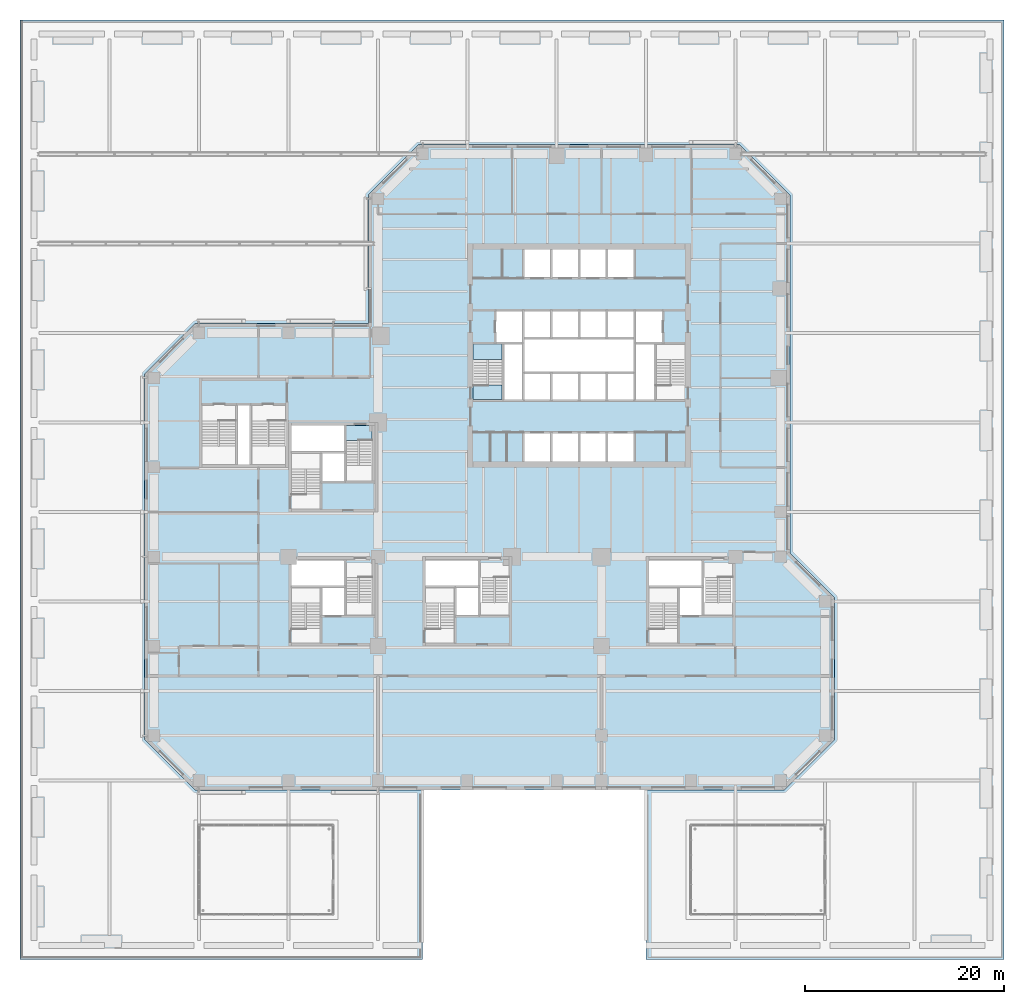
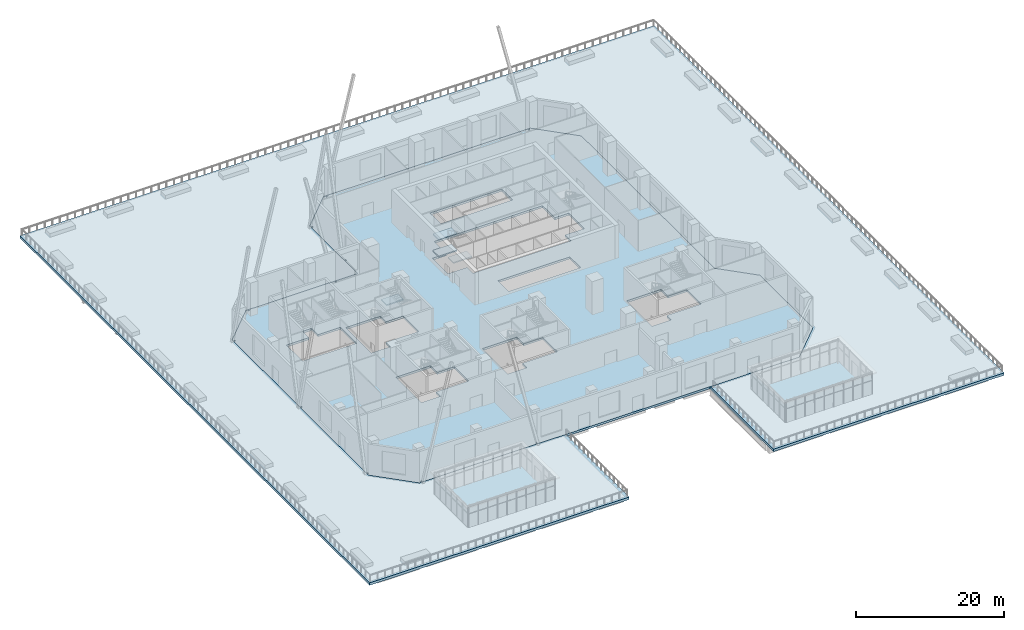
# One storey, part 18 of 33: 6 slabs, 2 elements without a shape of their own.
"""IFC4 building model written with IfcOpenShell, lengths in metres."""

from ifc_helpers import new_model, si_unit, direction, frame, origin, place, context, subcontext, project, spatial, polyline, outline, extrude, material, layer, layer_set, type_object, element, aggregate, save


model = new_model("IFC4")

# Units and contexts
model_context = context("Model", 3, precision=1e-05, world=origin(), true_north=direction((0.0, 1.0)))
body_context = subcontext(model_context, "Body", "Model", "MODEL_VIEW")
ifc_project = project(units=[si_unit("LENGTHUNIT", "METRE"), si_unit("AREAUNIT", "SQUARE_METRE"), si_unit("VOLUMEUNIT", "CUBIC_METRE"), si_unit("PLANEANGLEUNIT", "RADIAN"), si_unit("MASSUNIT", "GRAM", prefix="KILO")], contexts=[model_context])

# Site, building, storey
site_placement = place(None, origin())
site = spatial("IfcSite", under=ifc_project, at=site_placement, CompositionType="ELEMENT")
building_placement = place(site_placement, origin())
building = spatial("IfcBuilding", under=site, at=building_placement, Name="Quoin Convention Tower", CompositionType="ELEMENT")
storey_placement = place(building_placement, frame((0.0, 0.0, 8.0)))
storey = spatial("IfcBuildingStorey", under=building, at=storey_placement, Name="L01", CompositionType="ELEMENT", Elevation=8.0)

# Slabs
ifc_material_1 = material(Name="Concrete C50", Category="concrete")
ifc_layer_1 = layer(ifc_material_1, 0.409912109375)
ifc_layer_set_1 = layer_set([ifc_layer_1], Name="Concrete C50")
slab_type_1 = type_object("IfcSlabType", Name="RC DECK SLAB 410 C50", PredefinedType="ROOF", material=ifc_layer_set_1)
slab_1_placement = place(storey_placement, frame((0.0, 0.0, -0.409912109375)))
element("IfcSlab", 1, at=slab_1_placement, inside=storey, type_object=slab_type_1, Name="slb-L01-deck", PredefinedType="ROOF", context=body_context, shape_type="SweptSolid", body=[
    extrude(outline(polyline([(0.0, 94.5), (99.0, 94.5), (99.0, 0.0), (63.0, 0.0), (63.0, 17.050048828125), (76.8935546875, 17.050048828125), (81.949951171875, 22.1064453125), (81.949951171875, 36.3935546875), (77.449951171875, 40.8935546875), (77.449951171875, 76.8935546875), (72.3935546875, 81.949951171875), (40.1064453125, 81.949951171875), (35.050048828125, 76.8935546875), (35.050048828125, 63.949951171875), (17.6064453125, 63.949951171875), (12.550048828125, 58.8935546875), (12.550048828125, 22.1064453125), (17.6064453125, 17.050048828125), (40.5, 17.050048828125), (40.5, 0.0), (0.0, 0.0), (0.0, 94.5)])), origin(), (0.0, 0.0, 1.0), 0.409912109375),
])
ifc_material_2 = material(Name="Concrete C65", Category="concrete")
ifc_layer_2 = layer(ifc_material_2, 0.35009765625)
ifc_layer_set_2 = layer_set([ifc_layer_2], Name="Concrete C65")
slab_type_2 = type_object("IfcSlabType", Name="RC SLAB 350 C65", PredefinedType="FLOOR", material=ifc_layer_set_2)
slab_2_placement = place(storey_placement, frame((0.0, 0.0, -0.35009765625)))
element("IfcSlab", 2, at=slab_2_placement, inside=storey, type_object=slab_type_2, Name="slb-L01", PredefinedType="FLOOR", context=body_context, shape_type="SweptSolid", body=[
    extrude(outline(polyline([(17.6064453125, 63.949951171875), (17.905029296875, 63.949951171875), (17.905029296875, 63.679931640625), (18.094970703125, 63.679931640625), (18.094970703125, 63.949951171875), (31.405029296875, 63.949951171875), (31.405029296875, 63.679931640625), (31.594970703125, 63.679931640625), (31.594970703125, 63.949951171875), (35.050048828125, 63.949951171875), (35.050048828125, 67.405029296875), (35.320068359375, 67.405029296875), (35.320068359375, 67.594970703125), (35.050048828125, 67.594970703125), (35.050048828125, 76.405029296875), (35.320068359375, 76.405029296875), (35.320068359375, 76.594970703125), (35.050048828125, 76.594970703125), (35.050048828125, 76.8935546875), (40.1064453125, 81.949951171875), (40.405029296875, 81.949951171875), (40.405029296875, 81.679931640625), (40.594970703125, 81.679931640625), (40.594970703125, 81.949951171875), (71.905029296875, 81.949951171875), (71.905029296875, 81.679931640625), (72.094970703125, 81.679931640625), (72.094970703125, 81.949951171875), (72.3935546875, 81.949951171875), (77.449951171875, 76.8935546875), (77.449951171875, 40.8935546875), (81.949951171875, 36.3935546875), (81.949951171875, 22.1064453125), (76.8935546875, 17.050048828125), (36.094970703125, 17.050048828125), (36.094970703125, 17.320068359375), (35.905029296875, 17.320068359375), (35.905029296875, 17.050048828125), (18.094970703125, 17.050048828125), (18.094970703125, 17.320068359375), (17.905029296875, 17.320068359375), (17.905029296875, 17.050048828125), (17.6064453125, 17.050048828125), (12.550048828125, 22.1064453125), (12.550048828125, 22.405029296875), (12.820068359375, 22.405029296875), (12.820068359375, 22.594970703125), (12.550048828125, 22.594970703125), (12.550048828125, 40.405029296875), (12.820068359375, 40.405029296875), (12.820068359375, 40.594970703125), (12.550048828125, 40.594970703125), (12.550048828125, 58.405029296875), (12.820068359375, 58.405029296875), (12.820068359375, 58.594970703125), (12.550048828125, 58.594970703125), (12.550048828125, 58.8935546875), (17.6064453125, 63.949951171875)]), holes=[polyline([(35.39990234375, 38.3994140625), (32.699951171875, 38.3994140625), (32.699951171875, 40.199951171875), (27.300048828125, 40.199951171875), (27.300048828125, 37.5), (27.300048828125, 33.300537109375), (30.300048828125, 33.300537109375), (30.300048828125, 34.5), (32.699951171875, 34.5), (35.39990234375, 34.5), (35.39990234375, 38.3994140625)]), polyline([(46.199951171875, 34.5), (49.199951171875, 34.5), (49.199951171875, 38.3994140625), (46.199951171875, 38.3994140625), (46.199951171875, 40.199951171875), (40.800048828125, 40.199951171875), (40.800048828125, 37.5), (40.800048828125, 33.300537109375), (43.800048828125, 33.300537109375), (43.800048828125, 34.5), (46.199951171875, 34.5)]), polyline([(32.699951171875, 52.199462890625), (32.699951171875, 53.699951171875), (27.300048828125, 53.699951171875), (27.300048828125, 51.0), (27.300048828125, 46.800537109375), (30.300048828125, 46.800537109375), (30.300048828125, 48.0), (32.699951171875, 48.0), (35.39990234375, 48.0), (35.39990234375, 52.199462890625), (32.699951171875, 52.199462890625)]), polyline([(21.800048828125, 54.1494140625), (18.300048828125, 54.1494140625), (18.300048828125, 49.800048828125), (21.800048828125, 49.800048828125), (23.199951171875, 49.800048828125), (26.699951171875, 49.800048828125), (26.699951171875, 54.1494140625), (23.199951171875, 54.1494140625), (23.199951171875, 55.85009765625), (21.800048828125, 55.85009765625), (21.800048828125, 54.1494140625)]), polyline([(59.050048828125, 50.10009765625), (61.85009765625, 50.10009765625), (61.85009765625, 53.0), (59.050048828125, 53.0), (56.25, 53.0), (53.449951171875, 53.0), (50.64990234375, 53.0), (50.64990234375, 50.10009765625), (53.449951171875, 50.10009765625), (56.25, 50.10009765625), (59.050048828125, 50.10009765625)]), polyline([(59.050048828125, 56.199951171875), (61.85009765625, 56.199951171875), (63.89990234375, 56.199951171875), (63.89990234375, 57.800537109375), (66.89990234375, 57.800537109375), (66.89990234375, 62.0), (64.699951171875, 62.0), (64.699951171875, 65.300048828125), (61.85009765625, 65.300048828125), (59.050048828125, 65.300048828125), (56.25, 65.300048828125), (53.449951171875, 65.300048828125), (50.64990234375, 65.300048828125), (47.800048828125, 65.300048828125), (47.800048828125, 62.0), (45.60009765625, 62.0), (45.60009765625, 57.800537109375), (48.60009765625, 57.800537109375), (48.60009765625, 56.199951171875), (50.64990234375, 56.199951171875), (53.449951171875, 56.199951171875), (56.25, 56.199951171875), (59.050048828125, 56.199951171875)]), polyline([(50.64990234375, 68.5), (53.449951171875, 68.5), (56.25, 68.5), (59.050048828125, 68.5), (61.85009765625, 68.5), (61.85009765625, 71.39990234375), (59.050048828125, 71.39990234375), (56.25, 71.39990234375), (53.449951171875, 71.39990234375), (50.64990234375, 71.39990234375), (50.64990234375, 68.5)]), polyline([(68.699951171875, 38.3994140625), (68.699951171875, 40.199951171875), (63.300048828125, 40.199951171875), (63.300048828125, 37.5), (63.300048828125, 33.300537109375), (66.300048828125, 33.300537109375), (66.300048828125, 34.5), (68.699951171875, 34.5), (71.699951171875, 34.5), (71.699951171875, 38.3994140625), (68.699951171875, 38.3994140625)])]), origin(), (0.0, 0.0, 1.0), 0.35009765625),
])

# Stair, slabs
ifc_material_3 = material(Name="Concrete C40", Category="concrete")
stair_type_1 = type_object("IfcStairType", Name="Exit stair four-flight 1350", PredefinedType="DOUBLE_RETURN_STAIR", material=ifc_material_3)
stair_1_placement = place(storey_placement, origin())
stair_1 = element("IfcStair", 3, at=stair_1_placement, inside=storey, type_object=stair_type_1, Name="SD1 L01", PredefinedType="DOUBLE_RETURN_STAIR")
ifc_layer_3 = layer(ifc_material_3, 0.199951171875)
ifc_layer_set_3 = layer_set([ifc_layer_3], Name="Concrete C40")
slab_type_3 = type_object("IfcSlabType", Name="Stair landing 200", PredefinedType="LANDING", material=ifc_layer_set_3)
slab_3_placement = place(storey_placement, frame((0.0, 0.0, 1.175048828125)))
slab_3 = element("IfcSlab", 4, at=slab_3_placement, type_object=slab_type_3, Name="ST1 landing 1", PredefinedType="LANDING", context=body_context, shape_type="SweptSolid", body=[
    extrude(outline(polyline([(45.60009765625, 60.320068359375), (48.5, 60.320068359375), (48.5, 61.89990234375), (45.60009765625, 61.89990234375), (45.60009765625, 60.320068359375)])), origin(), (0.0, 0.0, 1.0), 0.199951171875),
])
slab_4_placement = place(storey_placement, frame((0.0, 0.0, 2.550048828125)))
slab_4 = element("IfcSlab", 5, at=slab_4_placement, type_object=slab_type_3, Name="ST1 landing 2", PredefinedType="LANDING", context=body_context, shape_type="SweptSolid", body=[
    extrude(outline(polyline([(45.60009765625, 56.300048828125), (48.5, 56.300048828125), (48.5, 57.800048828125), (45.60009765625, 57.800048828125), (45.60009765625, 56.300048828125)])), origin(), (0.0, 0.0, 1.0), 0.199951171875),
])
slab_5_placement = place(storey_placement, frame((0.0, 0.0, 3.925048828125)))
slab_5 = element("IfcSlab", 6, at=slab_5_placement, type_object=slab_type_3, Name="ST1 landing 3", PredefinedType="LANDING", context=body_context, shape_type="SweptSolid", body=[
    extrude(outline(polyline([(45.60009765625, 60.320068359375), (48.5, 60.320068359375), (48.5, 61.89990234375), (45.60009765625, 61.89990234375), (45.60009765625, 60.320068359375)])), origin(), (0.0, 0.0, 1.0), 0.199951171875),
])
aggregate(stair_1, [slab_3, slab_4, slab_5])

# Stair, slab
stair_type_2 = type_object("IfcStairType", Name="Exit stair four-flight 1200", PredefinedType="DOUBLE_RETURN_STAIR", material=ifc_material_3)
stair_2_placement = place(storey_placement, origin())
stair_2 = element("IfcStair", 7, at=stair_2_placement, inside=storey, type_object=stair_type_2, Name="SD4 L01", PredefinedType="DOUBLE_RETURN_STAIR")
slab_6_placement = place(storey_placement, frame((0.0, 0.0, 2.550048828125)))
slab_6 = element("IfcSlab", 8, at=slab_6_placement, type_object=slab_type_3, Name="ST4 landing 2", PredefinedType="LANDING", context=body_context, shape_type="SweptSolid", body=[
    extrude(outline(polyline([(35.39990234375, 53.699951171875), (32.800048828125, 53.699951171875), (32.800048828125, 52.199951171875), (35.39990234375, 52.199951171875), (35.39990234375, 53.699951171875)])), origin(), (0.0, 0.0, 1.0), 0.199951171875),
])
aggregate(stair_2, [slab_6])

save(model, "model.ifc")
